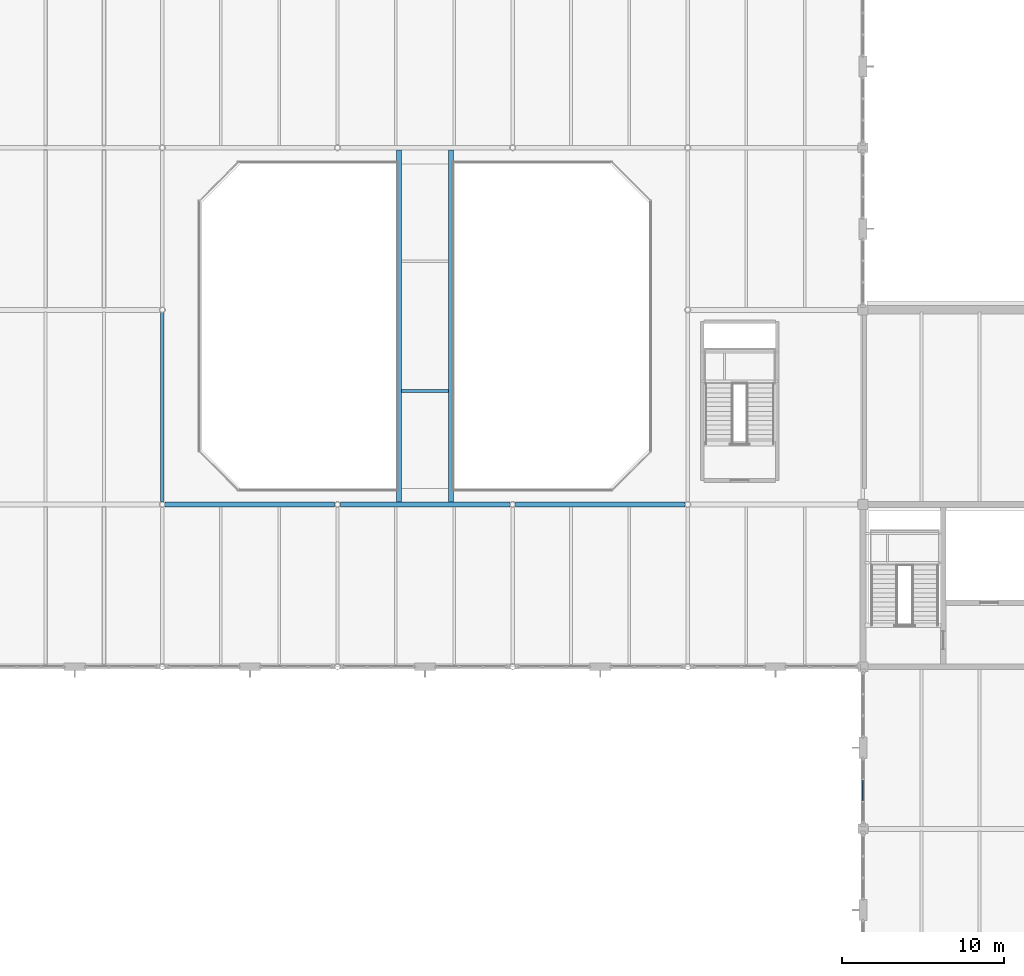
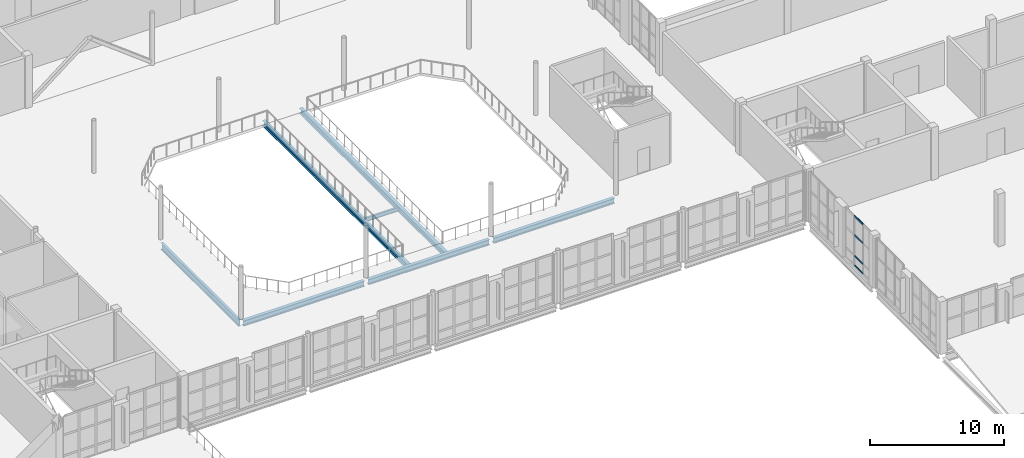
# One storey, part 32 of 100: 7 beams, 4 members, 1 element without a shape of its own.
"""IFC4 building model written with IfcOpenShell, lengths in metres."""

import ifcopenshell
import ifcopenshell.guid

model = None  # the IFC model being written
_history = None  # IfcOwnerHistory: only IFC2X3 demands one
_inside = {}  # id of a spatial element -> (the spatial element, [elements in it])
_under = {}  # id of a project, library or spatial element -> (it, [spatial elements below it])
_declared = {}  # id of a project -> (the project, [libraries it declares])
_typed = {}  # id of a type object -> (the type object, [elements of that type])
_made_of = {}  # id of a material, layer set ... -> (it, [elements and type objects made of it])


def new_model(schema):
    """Start an empty IFC model of exactly this schema.

    Asked for "IFC4X3", IfcOpenShell would pick the latest addendum, in which some entities
    have other attributes; the version numbers below select the first issue.
    IFC2X3 requires an IfcOwnerHistory on every rooted entity: one is made here for all.
    """
    global model, _history
    if schema == "IFC4X3":
        model = ifcopenshell.file(schema_version=(4, 3, 0, 0))
    else:
        model = ifcopenshell.file(schema=schema)
    _inside.clear()
    _under.clear()
    _declared.clear()
    _typed.clear()
    _made_of.clear()
    _history = None
    if model.schema == "IFC2X3":
        org = make("IfcOrganization", Name="unknown")
        user = make(
            "IfcPersonAndOrganization",
            ThePerson=make("IfcPerson", FamilyName="unknown"),
            TheOrganization=org,
        )
        app = make(
            "IfcApplication",
            ApplicationDeveloper=org,
            Version="unknown",
            ApplicationFullName="unknown",
            ApplicationIdentifier="unknown",
        )
        _history = make(
            "IfcOwnerHistory",
            OwningUser=user,
            OwningApplication=app,
            ChangeAction="ADDED",
            CreationDate=0,
        )
    return model


def make(cls, **values):
    """One entity of the class cls with the attributes given. An attribute that is None is left unset."""
    return model.create_entity(
        cls, **{name: value for name, value in values.items() if value is not None}
    )


def rooted(cls, **values):
    """An entity with a GlobalId (a new one), such as an element, a storey or a relation."""
    return make(cls, GlobalId=ifcopenshell.guid.new(), OwnerHistory=_history, **values)


def si_unit(unit_type, name, prefix=None):
    """IfcSIUnit, for example si_unit("LENGTHUNIT", "METRE", prefix="MILLI")."""
    return make("IfcSIUnit", UnitType=unit_type, Prefix=prefix, Name=name)


def assignment(units):
    """IfcUnitAssignment: the units of a project."""
    return None if units is None else make("IfcUnitAssignment", Units=units)


def point(xyz):
    """IfcCartesianPoint."""
    return None if xyz is None else make("IfcCartesianPoint", Coordinates=xyz)


def direction(xyz):
    """IfcDirection."""
    return None if xyz is None else make("IfcDirection", DirectionRatios=xyz)


def frame(location, z_axis=None, x_axis=None):
    """IfcAxis2Placement3D, a coordinate frame: its origin and axes. An axis left out is left unset."""
    return make(
        "IfcAxis2Placement3D",
        Location=point(location),
        Axis=direction(z_axis),
        RefDirection=direction(x_axis),
    )


def frame_2d(location, x_axis=None):
    """IfcAxis2Placement2D, a coordinate frame in the plane: its origin and x axis."""
    return make(
        "IfcAxis2Placement2D", Location=point(location), RefDirection=direction(x_axis)
    )


def origin():
    """The frame at (0, 0, 0) with its axes left unset."""
    return frame((0.0, 0.0, 0.0))


def origin_2d():
    """The frame at (0, 0) in the plane with its x axis left unset."""
    return frame_2d((0.0, 0.0))


def place(relative_to, where):
    """IfcLocalPlacement: puts the frame where relative to a parent placement (None: the world)."""
    return make(
        "IfcLocalPlacement", PlacementRelTo=relative_to, RelativePlacement=where
    )


def context(
    kind, dimensions, precision=None, world=None, true_north=None, identifier=None
):
    """IfcGeometricRepresentationContext, for example the 3D "Model" context."""
    return make(
        "IfcGeometricRepresentationContext",
        ContextIdentifier=identifier,
        ContextType=kind,
        CoordinateSpaceDimension=dimensions,
        Precision=precision,
        WorldCoordinateSystem=world,
        TrueNorth=true_north,
    )


def subcontext(parent, identifier, kind, view, scale=None):
    """IfcGeometricRepresentationSubContext, for example "Body" below "Model"."""
    return make(
        "IfcGeometricRepresentationSubContext",
        ContextIdentifier=identifier,
        ContextType=kind,
        ParentContext=parent,
        TargetScale=scale,
        TargetView=view,
    )


def project(units=None, contexts=None):
    """IfcProject with its units and contexts."""
    return rooted(
        "IfcProject",
        Name="project",
        RepresentationContexts=contexts,
        UnitsInContext=assignment(units),
    )


def spatial(cls, under=None, at=None, **own):
    """A site, building, storey or space (cls), placed at a placement, below another one or the project."""
    s = rooted(cls, ObjectPlacement=at, **own)
    if under is not None:
        _under.setdefault(under.id(), (under, []))[1].append(s)
    return s


def profile(cls, at=None, kind="AREA", **sizes):
    """A parametric profile (cls). Its sizes go by their IFC names, for example OverallWidth=200.0."""
    return make(cls, ProfileType=kind, Position=at, **sizes)


def hollow_rectangle(**sizes):
    """IfcRectangleHollowProfileDef."""
    return profile("IfcRectangleHollowProfileDef", **sizes)


def i_section(**sizes):
    """IfcIShapeProfileDef."""
    return profile("IfcIShapeProfileDef", **sizes)


def extrude(swept, where, along, depth):
    """IfcExtrudedAreaSolid: the profile swept, set in the frame where, extruded along a direction by depth."""
    return make(
        "IfcExtrudedAreaSolid",
        SweptArea=swept,
        Position=where,
        ExtrudedDirection=direction(along),
        Depth=depth,
    )


def shape(context_of_items, identifier, shape_type, items):
    """IfcShapeRepresentation: the items that make up one representation, for example the "Body"."""
    return make(
        "IfcShapeRepresentation",
        ContextOfItems=context_of_items,
        RepresentationIdentifier=identifier,
        RepresentationType=shape_type,
        Items=items,
    )


def material(Name=None, Category=None):
    """IfcMaterial."""
    return make("IfcMaterial", Name=Name, Category=Category)


def layer(
    of_material, thickness, ventilated=None, Name=None, Category=None, Priority=None
):
    """IfcMaterialLayer: one layer of a wall or slab, of a material (None: an air gap)."""
    return make(
        "IfcMaterialLayer",
        Material=of_material,
        LayerThickness=thickness,
        IsVentilated=ventilated,
        Name=Name,
        Category=Category,
        Priority=Priority,
    )


def layer_set(layers, Name=None):
    """IfcMaterialLayerSet."""
    return make("IfcMaterialLayerSet", MaterialLayers=layers, LayerSetName=Name)


def material_profile(
    of_material, cross_section, Name=None, Category=None, Priority=None
):
    """IfcMaterialProfile: a cross section and its material."""
    return make(
        "IfcMaterialProfile",
        Name=Name,
        Material=of_material,
        Profile=cross_section,
        Priority=Priority,
        Category=Category,
    )


def profile_set(profiles, Name=None, composite=None):
    """IfcMaterialProfileSet."""
    return make(
        "IfcMaterialProfileSet",
        Name=Name,
        MaterialProfiles=profiles,
        CompositeProfile=composite,
    )


def made_of(thing, what):
    """Note that an element or type object is made of a material, layer set ...; save() writes the relation."""
    if what is not None:
        _made_of.setdefault(what.id(), (what, []))[1].append(thing)
    return thing


def type_object(cls, material=None, **own):
    """A type object (cls), such as IfcWallType, which elements share."""
    return made_of(rooted(cls, **own), material)


def element(
    cls,
    number,
    at=None,
    inside=None,
    cuts=None,
    type_object=None,
    material=None,
    context=None,
    identifier="Body",
    shape_type=None,
    held_by="IfcProductDefinitionShape",
    body=None,
    shapes=None,
    **own,
):
    """One element of the class cls, such as IfcWall. Its Tag is "e" and its number.

    at: its placement. inside: the storey or other place that contains it. cuts: it is an
    opening in that element (IfcRelVoidsElement). A single representation is given by context,
    identifier, shape_type and body (its items); several are given by shapes. held_by: the class
    of the entity that holds the representations. save() writes the other relations.
    """
    e = rooted(cls, Tag="e%d" % number, ObjectPlacement=at, **own)
    if body is not None:
        shapes = [shape(context, identifier, shape_type, body)]
    if shapes is not None:
        e.Representation = make(held_by, Representations=shapes)
    if inside is not None:
        _inside.setdefault(inside.id(), (inside, []))[1].append(e)
    if cuts is not None:
        rooted(
            "IfcRelVoidsElement", RelatingBuildingElement=cuts, RelatedOpeningElement=e
        )
    if type_object is not None:
        _typed.setdefault(type_object.id(), (type_object, []))[1].append(e)
    return made_of(e, material)


def aggregate(whole, parts):
    """IfcRelAggregates: a whole, such as a stair, and the parts it consists of."""
    return rooted("IfcRelAggregates", RelatingObject=whole, RelatedObjects=parts)


def save(model, path):
    """Write the relations noted so far, then the file.

    IfcRelAggregates (storeys below a building ...), IfcRelContainedInSpatialStructure (elements
    in a storey), IfcRelDefinesByType, IfcRelAssociatesMaterial and IfcRelDeclares: one each for
    every whole, place, type object, material and project.
    """
    for whole, parts in _under.values():
        aggregate(whole, parts)
    for where, things in _inside.values():
        rooted(
            "IfcRelContainedInSpatialStructure",
            RelatedElements=things,
            RelatingStructure=where,
        )
    for kind, things in _typed.values():
        rooted("IfcRelDefinesByType", RelatedObjects=things, RelatingType=kind)
    for what, things in _made_of.values():
        rooted("IfcRelAssociatesMaterial", RelatedObjects=things, RelatingMaterial=what)
    for by, libraries in _declared.values():
        rooted("IfcRelDeclares", RelatingContext=by, RelatedDefinitions=libraries)
    model.write(path)


model = new_model("IFC4")

# Units and contexts
model_context = context("Model", 3, precision=1e-05, world=origin(), true_north=direction((0.0, 1.0)))
body_context = subcontext(model_context, "Body", "Model", "MODEL_VIEW")
ifc_project = project(units=[si_unit("LENGTHUNIT", "METRE"), si_unit("AREAUNIT", "SQUARE_METRE"), si_unit("VOLUMEUNIT", "CUBIC_METRE"), si_unit("PLANEANGLEUNIT", "RADIAN"), si_unit("MASSUNIT", "GRAM", prefix="KILO")], contexts=[model_context])

# Site, building, storey
site_placement = place(None, origin())
site = spatial("IfcSite", under=ifc_project, at=site_placement, CompositionType="ELEMENT")
building_placement = place(site_placement, origin())
building = spatial("IfcBuilding", under=site, at=building_placement, Name="Tasgan Crest Museum", CompositionType="ELEMENT")
storey_placement = place(building_placement, frame((0.0, 0.0, 9.60009765625)))
storey = spatial("IfcBuildingStorey", under=building, at=storey_placement, Name="L02", CompositionType="ELEMENT", Elevation=9.60009765625)

# Beams
ifc_material_1 = material(Name="Steel S355J2", Category="steel")
ifc_material_profile_1 = material_profile(ifc_material_1, i_section(OverallWidth=0.300048828125, OverallDepth=0.489990234375, WebThickness=0.011962890625, FlangeThickness=0.02294921875, FilletRadius=0.027099609375, at=origin_2d()), Name="HEA 500")
ifc_profile_set_1 = profile_set([ifc_material_profile_1], Name="Steel S355J2")
beam_type_1 = type_object("IfcBeamType", Name="BM-G-HEA500", PredefinedType="BEAM", material=ifc_profile_set_1)
for number, where, z_axis, x_axis, name in (
    (1, (79.39990234375, 50.14990234375, -0.485107421875), (0.0, 1.0, 0.0), (-1.0, 0.0, 0.0), "Atrium bridge girder L02"),
    (2, (82.60009765625, 50.14990234375, -0.485107421875), (0.0, 1.0, 0.0), (-1.0, 0.0, 0.0), "Atrium bridge girder L02"),
):
    element("IfcBeam", number, at=place(storey_placement, frame(where, z_axis=z_axis, x_axis=x_axis)), inside=storey, type_object=beam_type_1, Name=name, PredefinedType="BEAM", context=body_context, shape_type="SweptSolid", body=[
        extrude(i_section(OverallWidth=0.300048828125, OverallDepth=0.489990234375, WebThickness=0.011962890625, FlangeThickness=0.02294921875, FilletRadius=0.027099609375, at=origin_2d()), origin(), (0.0, 0.0, 1.0), 21.7001953125),
    ])
beam_1_placement = place(storey_placement, frame((64.973876953125, 50.0, -0.485107421875), z_axis=(1.0, 0.0, 0.0), x_axis=(0.0, 1.0, 0.0)))
element("IfcBeam", 3, at=beam_1_placement, inside=storey, type_object=beam_type_1, Name="Girder L02 F 64.8-75.6", PredefinedType="BEAM", context=body_context, shape_type="SweptSolid", body=[
    extrude(i_section(OverallWidth=0.300048828125, OverallDepth=0.489990234375, WebThickness=0.011962890625, FlangeThickness=0.02294921875, FilletRadius=0.027099609375, at=origin_2d()), origin(), (0.0, 0.0, 1.0), 10.452392578125),
])
beam_2_placement = place(storey_placement, frame((75.773681640625, 50.0, -0.485107421875), z_axis=(1.0, 0.0, 0.0), x_axis=(0.0, 1.0, 0.0)))
element("IfcBeam", 4, at=beam_2_placement, inside=storey, type_object=beam_type_1, Name="Girder L02 F 75.6-86.4", PredefinedType="BEAM", context=body_context, shape_type="SweptSolid", body=[
    extrude(i_section(OverallWidth=0.300048828125, OverallDepth=0.489990234375, WebThickness=0.011962890625, FlangeThickness=0.02294921875, FilletRadius=0.027099609375, at=origin_2d()), origin(), (0.0, 0.0, 1.0), 10.45263671875),
])
beam_3_placement = place(storey_placement, frame((86.57373046875, 50.0, -0.485107421875), z_axis=(1.0, 0.0, 0.0), x_axis=(0.0, 1.0, 0.0)))
element("IfcBeam", 5, at=beam_3_placement, inside=storey, type_object=beam_type_1, Name="Girder L02 F 86.4-97.2", PredefinedType="BEAM", context=body_context, shape_type="SweptSolid", body=[
    extrude(i_section(OverallWidth=0.300048828125, OverallDepth=0.489990234375, WebThickness=0.011962890625, FlangeThickness=0.02294921875, FilletRadius=0.027099609375, at=origin_2d()), origin(), (0.0, 0.0, 1.0), 10.452392578125),
])
ifc_material_2 = material(Name="Steel S355J2", Category="steel")
ifc_material_profile_2 = material_profile(ifc_material_2, i_section(OverallWidth=0.219970703125, OverallDepth=0.60009765625, WebThickness=0.011962890625, FlangeThickness=0.01904296875, FilletRadius=0.02392578125, at=origin_2d()), Name="IPE 600")
ifc_profile_set_2 = profile_set([ifc_material_profile_2], Name="Steel S355J2")
beam_type_2 = type_object("IfcBeamType", Name="BM-G-IPE600", PredefinedType="BEAM", material=ifc_profile_set_2)
beam_4_placement = place(storey_placement, frame((64.800048828125, 50.1728515625, -0.5400390625), z_axis=(0.0, 1.0, 0.0), x_axis=(-1.0, 0.0, 0.0)))
element("IfcBeam", 6, at=beam_4_placement, inside=storey, type_object=beam_type_2, Name="Beam L02 7 50.0-62.0", PredefinedType="BEAM", context=body_context, shape_type="SweptSolid", body=[
    extrude(i_section(OverallWidth=0.219970703125, OverallDepth=0.60009765625, WebThickness=0.011962890625, FlangeThickness=0.01904296875, FilletRadius=0.02392578125, at=origin_2d()), origin(), (0.0, 0.0, 1.0), 11.654296875),
])
ifc_material_3 = material(Name="Steel S355J2", Category="steel")
ifc_material_profile_3 = material_profile(ifc_material_3, i_section(OverallWidth=0.169921875, OverallDepth=0.360107421875, WebThickness=0.008056640625, FlangeThickness=0.0126953125, FilletRadius=0.01806640625, at=origin_2d()), Name="IPE 360")
ifc_profile_set_3 = profile_set([ifc_material_profile_3], Name="Steel S355J2")
beam_type_3 = type_object("IfcBeamType", Name="BM-J-IPE360", PredefinedType="JOIST", material=ifc_profile_set_3)
beam_5_placement = place(storey_placement, frame((79.550048828125, 57.0, -0.420166015625), z_axis=(1.0, 0.0, 0.0), x_axis=(0.0, 1.0, 0.0)))
element("IfcBeam", 7, at=beam_5_placement, inside=storey, type_object=beam_type_3, Name="Atrium bridge crossbeam L02 Y=57", PredefinedType="JOIST", context=body_context, shape_type="SweptSolid", body=[
    extrude(i_section(OverallWidth=0.169921875, OverallDepth=0.360107421875, WebThickness=0.008056640625, FlangeThickness=0.0126953125, FilletRadius=0.01806640625, at=origin_2d()), origin(), (0.0, 0.0, 1.0), 2.89990234375),
])

# Curtain wall, members
ifc_material_4 = material(Name="Triple-Glazed Aluminium Curtain Wall", Category="aluminium")
ifc_layer = layer(ifc_material_4, 0.179931640625, Name="CW-GAL-Y-48")
ifc_layer_set = layer_set([ifc_layer], Name="Triple-Glazed Aluminium Curtain Wall")
curtain_wall_type = type_object("IfcCurtainWallType", Name="CW-GAL-Y-48", PredefinedType="NOTDEFINED", material=ifc_layer_set)
curtain_wall_placement = place(storey_placement, origin())
curtain_wall = element("IfcCurtainWall", 8, at=curtain_wall_placement, inside=storey, type_object=curtain_wall_type, Name="Curtain wall L02 062", PredefinedType="NOTDEFINED")
ifc_material_5 = material(Name="Anodised Aluminium", Category="aluminium")
ifc_material_profile_4 = material_profile(ifc_material_5, hollow_rectangle(XDim=0.06005859375, YDim=0.14990234375, WallThickness=0.0048828125, at=origin_2d()), Name="ALU TRANSOM 150x60x5")
ifc_profile_set_4 = profile_set([ifc_material_profile_4], Name="Anodised Aluminium")
member_type = type_object("IfcMemberType", Name="CW-TRANSOM-150", PredefinedType="USERDEFINED", material=ifc_profile_set_4)
member_1_placement = place(storey_placement, frame((108.0, 32.9951171875, 0.02978515625), z_axis=(0.0, -1.0, 0.0), x_axis=(1.0, 0.0, 0.0)))
member_1 = element("IfcMember", 9, at=member_1_placement, type_object=member_type, Name="CW16 transom 2.1", ObjectType="TRANSOM", PredefinedType="USERDEFINED", context=body_context, shape_type="SweptSolid", body=[
    extrude(hollow_rectangle(XDim=0.06005859375, YDim=0.14990234375, WallThickness=0.0048828125, at=origin_2d()), origin(), (0.0, 0.0, 1.0), 1.27001953125),
])
member_2_placement = place(storey_placement, frame((108.0, 32.9951171875, 0.89990234375), z_axis=(0.0, -1.0, 0.0), x_axis=(1.0, 0.0, 0.0)))
member_2 = element("IfcMember", 10, at=member_2_placement, type_object=member_type, Name="CW16 transom 2.2", ObjectType="TRANSOM", PredefinedType="USERDEFINED", context=body_context, shape_type="SweptSolid", body=[
    extrude(hollow_rectangle(XDim=0.06005859375, YDim=0.14990234375, WallThickness=0.0048828125, at=origin_2d()), origin(), (0.0, 0.0, 1.0), 1.27001953125),
])
member_3_placement = place(storey_placement, frame((108.0, 32.9951171875, 2.7998046875), z_axis=(0.0, -1.0, 0.0), x_axis=(1.0, 0.0, 0.0)))
member_3 = element("IfcMember", 11, at=member_3_placement, type_object=member_type, Name="CW16 transom 2.3", ObjectType="TRANSOM", PredefinedType="USERDEFINED", context=body_context, shape_type="SweptSolid", body=[
    extrude(hollow_rectangle(XDim=0.06005859375, YDim=0.14990234375, WallThickness=0.0048828125, at=origin_2d()), origin(), (0.0, 0.0, 1.0), 1.27001953125),
])
member_4_placement = place(storey_placement, frame((108.0, 32.9951171875, 4.52978515625), z_axis=(0.0, -1.0, 0.0), x_axis=(1.0, 0.0, 0.0)))
member_4 = element("IfcMember", 12, at=member_4_placement, type_object=member_type, Name="CW16 transom 2.4", ObjectType="TRANSOM", PredefinedType="USERDEFINED", context=body_context, shape_type="SweptSolid", body=[
    extrude(hollow_rectangle(XDim=0.06005859375, YDim=0.14990234375, WallThickness=0.0048828125, at=origin_2d()), origin(), (0.0, 0.0, 1.0), 1.27001953125),
])
aggregate(curtain_wall, [member_1, member_2, member_3, member_4])

save(model, "model.ifc")
